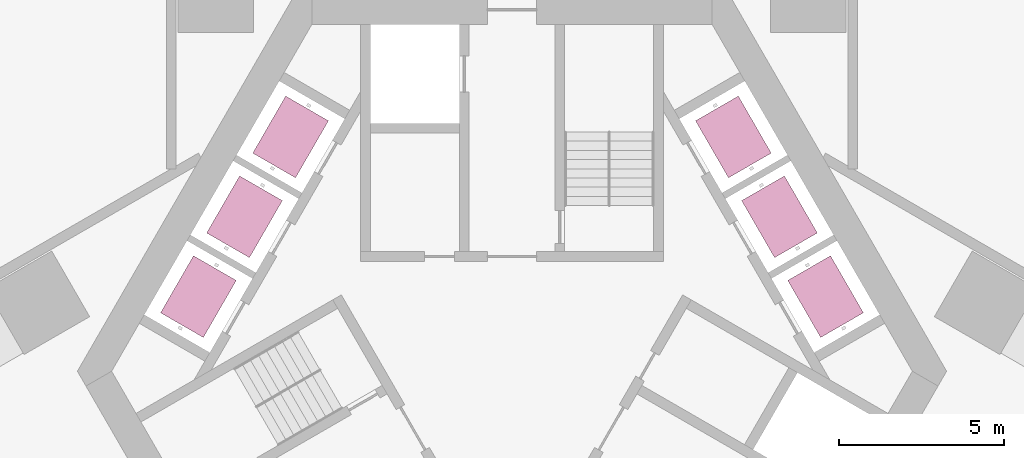
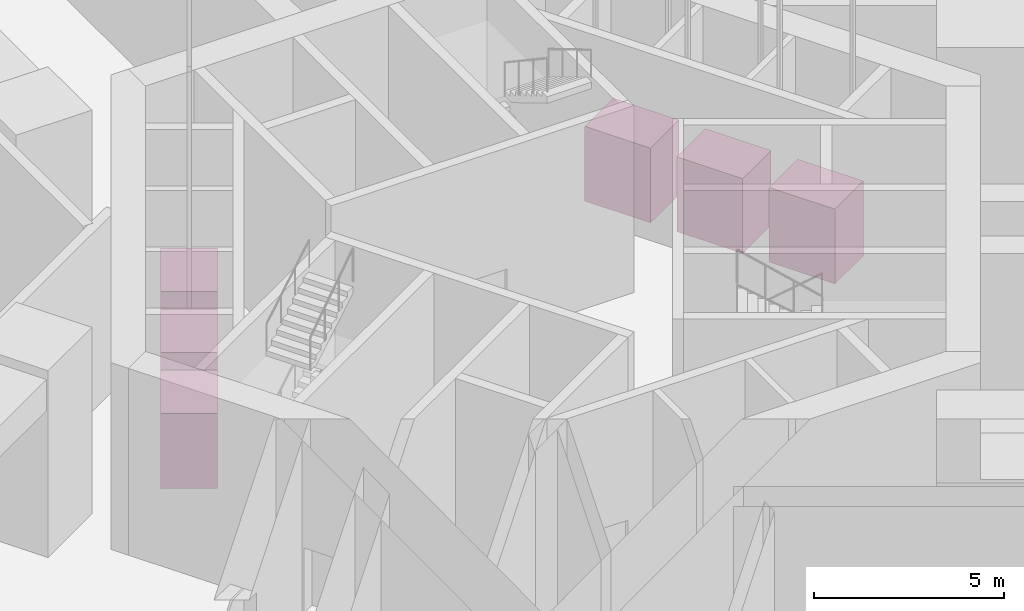
# One storey, part 21 of 33: 6 transport elements.
"""IFC4 building model written with IfcOpenShell, lengths in metres."""

from ifc_helpers import new_model, si_unit, direction, frame, origin, origin_2d, place, context, subcontext, project, spatial, rectangle, extrude, material, type_object, element, save


model = new_model("IFC4")

# Units and contexts
model_context = context("Model", 3, precision=1e-05, world=origin(), true_north=direction((0.0, 1.0)))
body_context = subcontext(model_context, "Body", "Model", "MODEL_VIEW")
ifc_project = project(units=[si_unit("LENGTHUNIT", "METRE"), si_unit("AREAUNIT", "SQUARE_METRE"), si_unit("VOLUMEUNIT", "CUBIC_METRE"), si_unit("PLANEANGLEUNIT", "RADIAN"), si_unit("MASSUNIT", "GRAM", prefix="KILO")], contexts=[model_context])

# Site, building, storey
site_placement = place(None, origin())
site = spatial("IfcSite", under=ifc_project, at=site_placement, CompositionType="ELEMENT")
building_placement = place(site_placement, origin())
building = spatial("IfcBuilding", under=site, at=building_placement, Name="Impinga Residences", CompositionType="ELEMENT")
storey_placement = place(building_placement, origin())
storey = spatial("IfcBuildingStorey", under=building, at=storey_placement, Name="L00", CompositionType="ELEMENT", Elevation=0.0)

# Transport elements
ifc_material = material(Name="Steel lift car, stainless steel lining", Category="steel")
transport_element_type = type_object("IfcTransportElementType", Name="LP passenger lift 1275 kg, car 2000x1500", PredefinedType="ELEVATOR", material=ifc_material)
for number, where, z_axis, x_axis, name in (
    (1, (6.724609375, 7.11572265625, 0.0), (0.0, 0.0, 1.0), (-0.5, 0.866025403784, 0.0), "Passenger lift P4 mid-rise"),
    (2, (8.124755859375, 4.690673828125, 0.0), (0.0, 0.0, 1.0), (-0.5, 0.866025403784, 0.0), "Passenger lift P5 mid-rise"),
    (3, (9.524658203125, 2.265869140625, 0.0), (0.0, 0.0, 1.0), (-0.5, 0.866025403784, 0.0), "Passenger lift P6 mid-rise"),
    (4, (-9.524658203125, 2.265869140625, 0.0), (0.0, 0.0, 1.0), (-0.5, -0.866025403784, 0.0), "Passenger lift P7 high-rise"),
    (5, (-8.124755859375, 4.690673828125, 0.0), (0.0, 0.0, 1.0), (-0.5, -0.866025403784, 0.0), "Passenger lift P8 high-rise"),
    (6, (-6.724609375, 7.11572265625, 0.0), (0.0, 0.0, 1.0), (-0.5, -0.866025403784, 0.0), "Passenger lift P9 high-rise"),
):
    element("IfcTransportElement", number, at=place(storey_placement, frame(where, z_axis=z_axis, x_axis=x_axis)), inside=storey, type_object=transport_element_type, Name=name, PredefinedType="ELEVATOR", context=body_context, shape_type="SweptSolid", body=[
        extrude(rectangle(XDim=2.0, YDim=1.5, at=origin_2d()), origin(), (0.0, 0.0, 1.0), 2.39990234375),
    ])

save(model, "model.ifc")
